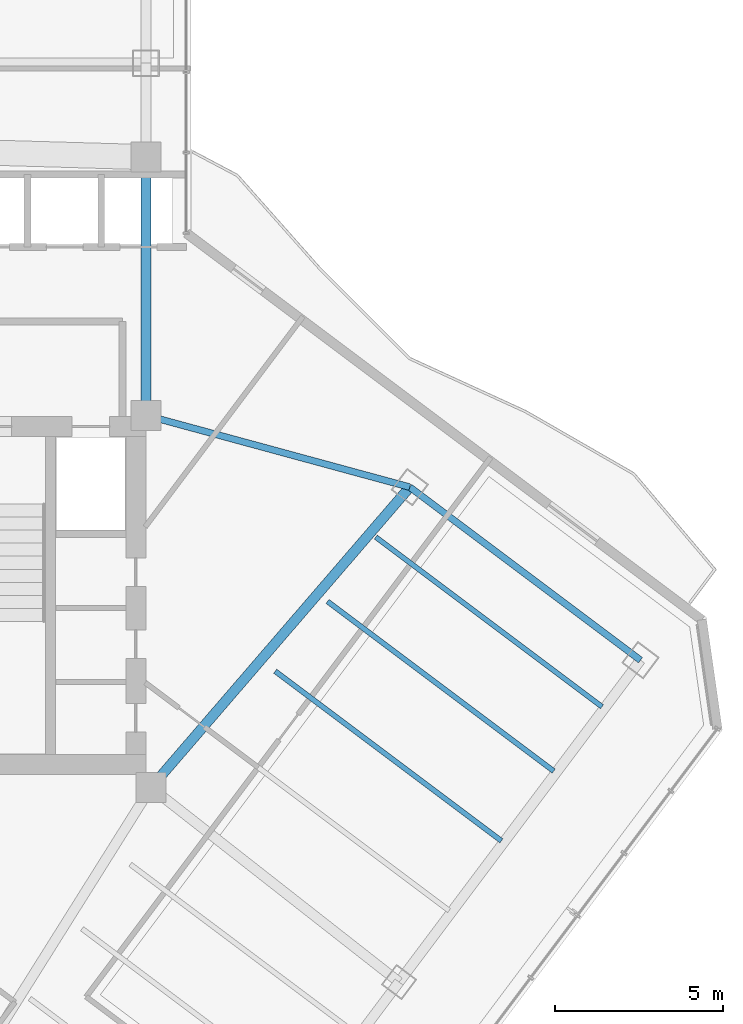
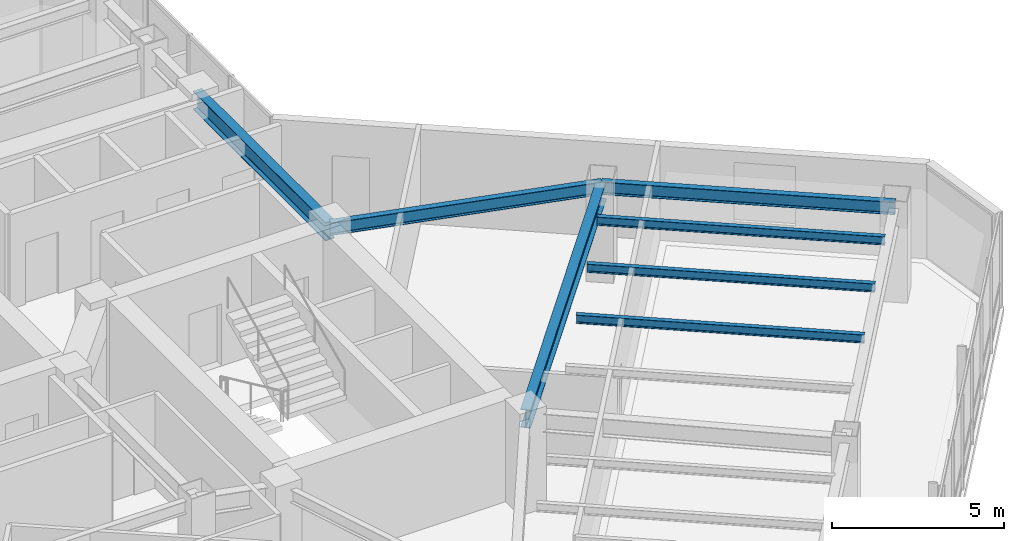
# One storey, part 14 of 28: 7 beams.
"""IFC4 building model written with IfcOpenShell, lengths in metres."""

import ifcopenshell
import ifcopenshell.guid

model = None  # the IFC model being written
_history = None  # IfcOwnerHistory: only IFC2X3 demands one
_inside = {}  # id of a spatial element -> (the spatial element, [elements in it])
_under = {}  # id of a project, library or spatial element -> (it, [spatial elements below it])
_declared = {}  # id of a project -> (the project, [libraries it declares])
_typed = {}  # id of a type object -> (the type object, [elements of that type])
_made_of = {}  # id of a material, layer set ... -> (it, [elements and type objects made of it])


def new_model(schema):
    """Start an empty IFC model of exactly this schema.

    Asked for "IFC4X3", IfcOpenShell would pick the latest addendum, in which some entities
    have other attributes; the version numbers below select the first issue.
    IFC2X3 requires an IfcOwnerHistory on every rooted entity: one is made here for all.
    """
    global model, _history
    if schema == "IFC4X3":
        model = ifcopenshell.file(schema_version=(4, 3, 0, 0))
    else:
        model = ifcopenshell.file(schema=schema)
    _inside.clear()
    _under.clear()
    _declared.clear()
    _typed.clear()
    _made_of.clear()
    _history = None
    if model.schema == "IFC2X3":
        org = make("IfcOrganization", Name="unknown")
        user = make(
            "IfcPersonAndOrganization",
            ThePerson=make("IfcPerson", FamilyName="unknown"),
            TheOrganization=org,
        )
        app = make(
            "IfcApplication",
            ApplicationDeveloper=org,
            Version="unknown",
            ApplicationFullName="unknown",
            ApplicationIdentifier="unknown",
        )
        _history = make(
            "IfcOwnerHistory",
            OwningUser=user,
            OwningApplication=app,
            ChangeAction="ADDED",
            CreationDate=0,
        )
    return model


def make(cls, **values):
    """One entity of the class cls with the attributes given. An attribute that is None is left unset."""
    return model.create_entity(
        cls, **{name: value for name, value in values.items() if value is not None}
    )


def rooted(cls, **values):
    """An entity with a GlobalId (a new one), such as an element, a storey or a relation."""
    return make(cls, GlobalId=ifcopenshell.guid.new(), OwnerHistory=_history, **values)


def si_unit(unit_type, name, prefix=None):
    """IfcSIUnit, for example si_unit("LENGTHUNIT", "METRE", prefix="MILLI")."""
    return make("IfcSIUnit", UnitType=unit_type, Prefix=prefix, Name=name)


def assignment(units):
    """IfcUnitAssignment: the units of a project."""
    return None if units is None else make("IfcUnitAssignment", Units=units)


def point(xyz):
    """IfcCartesianPoint."""
    return None if xyz is None else make("IfcCartesianPoint", Coordinates=xyz)


def direction(xyz):
    """IfcDirection."""
    return None if xyz is None else make("IfcDirection", DirectionRatios=xyz)


def frame(location, z_axis=None, x_axis=None):
    """IfcAxis2Placement3D, a coordinate frame: its origin and axes. An axis left out is left unset."""
    return make(
        "IfcAxis2Placement3D",
        Location=point(location),
        Axis=direction(z_axis),
        RefDirection=direction(x_axis),
    )


def frame_2d(location, x_axis=None):
    """IfcAxis2Placement2D, a coordinate frame in the plane: its origin and x axis."""
    return make(
        "IfcAxis2Placement2D", Location=point(location), RefDirection=direction(x_axis)
    )


def origin():
    """The frame at (0, 0, 0) with its axes left unset."""
    return frame((0.0, 0.0, 0.0))


def origin_2d():
    """The frame at (0, 0) in the plane with its x axis left unset."""
    return frame_2d((0.0, 0.0))


def place(relative_to, where):
    """IfcLocalPlacement: puts the frame where relative to a parent placement (None: the world)."""
    return make(
        "IfcLocalPlacement", PlacementRelTo=relative_to, RelativePlacement=where
    )


def context(
    kind, dimensions, precision=None, world=None, true_north=None, identifier=None
):
    """IfcGeometricRepresentationContext, for example the 3D "Model" context."""
    return make(
        "IfcGeometricRepresentationContext",
        ContextIdentifier=identifier,
        ContextType=kind,
        CoordinateSpaceDimension=dimensions,
        Precision=precision,
        WorldCoordinateSystem=world,
        TrueNorth=true_north,
    )


def subcontext(parent, identifier, kind, view, scale=None):
    """IfcGeometricRepresentationSubContext, for example "Body" below "Model"."""
    return make(
        "IfcGeometricRepresentationSubContext",
        ContextIdentifier=identifier,
        ContextType=kind,
        ParentContext=parent,
        TargetScale=scale,
        TargetView=view,
    )


def project(units=None, contexts=None):
    """IfcProject with its units and contexts."""
    return rooted(
        "IfcProject",
        Name="project",
        RepresentationContexts=contexts,
        UnitsInContext=assignment(units),
    )


def spatial(cls, under=None, at=None, **own):
    """A site, building, storey or space (cls), placed at a placement, below another one or the project."""
    s = rooted(cls, ObjectPlacement=at, **own)
    if under is not None:
        _under.setdefault(under.id(), (under, []))[1].append(s)
    return s


def profile(cls, at=None, kind="AREA", **sizes):
    """A parametric profile (cls). Its sizes go by their IFC names, for example OverallWidth=200.0."""
    return make(cls, ProfileType=kind, Position=at, **sizes)


def i_section(**sizes):
    """IfcIShapeProfileDef."""
    return profile("IfcIShapeProfileDef", **sizes)


def extrude(swept, where, along, depth):
    """IfcExtrudedAreaSolid: the profile swept, set in the frame where, extruded along a direction by depth."""
    return make(
        "IfcExtrudedAreaSolid",
        SweptArea=swept,
        Position=where,
        ExtrudedDirection=direction(along),
        Depth=depth,
    )


def shape(context_of_items, identifier, shape_type, items):
    """IfcShapeRepresentation: the items that make up one representation, for example the "Body"."""
    return make(
        "IfcShapeRepresentation",
        ContextOfItems=context_of_items,
        RepresentationIdentifier=identifier,
        RepresentationType=shape_type,
        Items=items,
    )


def material(Name=None, Category=None):
    """IfcMaterial."""
    return make("IfcMaterial", Name=Name, Category=Category)


def material_profile(
    of_material, cross_section, Name=None, Category=None, Priority=None
):
    """IfcMaterialProfile: a cross section and its material."""
    return make(
        "IfcMaterialProfile",
        Name=Name,
        Material=of_material,
        Profile=cross_section,
        Priority=Priority,
        Category=Category,
    )


def profile_set(profiles, Name=None, composite=None):
    """IfcMaterialProfileSet."""
    return make(
        "IfcMaterialProfileSet",
        Name=Name,
        MaterialProfiles=profiles,
        CompositeProfile=composite,
    )


def made_of(thing, what):
    """Note that an element or type object is made of a material, layer set ...; save() writes the relation."""
    if what is not None:
        _made_of.setdefault(what.id(), (what, []))[1].append(thing)
    return thing


def type_object(cls, material=None, **own):
    """A type object (cls), such as IfcWallType, which elements share."""
    return made_of(rooted(cls, **own), material)


def element(
    cls,
    number,
    at=None,
    inside=None,
    cuts=None,
    type_object=None,
    material=None,
    context=None,
    identifier="Body",
    shape_type=None,
    held_by="IfcProductDefinitionShape",
    body=None,
    shapes=None,
    **own,
):
    """One element of the class cls, such as IfcWall. Its Tag is "e" and its number.

    at: its placement. inside: the storey or other place that contains it. cuts: it is an
    opening in that element (IfcRelVoidsElement). A single representation is given by context,
    identifier, shape_type and body (its items); several are given by shapes. held_by: the class
    of the entity that holds the representations. save() writes the other relations.
    """
    e = rooted(cls, Tag="e%d" % number, ObjectPlacement=at, **own)
    if body is not None:
        shapes = [shape(context, identifier, shape_type, body)]
    if shapes is not None:
        e.Representation = make(held_by, Representations=shapes)
    if inside is not None:
        _inside.setdefault(inside.id(), (inside, []))[1].append(e)
    if cuts is not None:
        rooted(
            "IfcRelVoidsElement", RelatingBuildingElement=cuts, RelatedOpeningElement=e
        )
    if type_object is not None:
        _typed.setdefault(type_object.id(), (type_object, []))[1].append(e)
    return made_of(e, material)


def aggregate(whole, parts):
    """IfcRelAggregates: a whole, such as a stair, and the parts it consists of."""
    return rooted("IfcRelAggregates", RelatingObject=whole, RelatedObjects=parts)


def save(model, path):
    """Write the relations noted so far, then the file.

    IfcRelAggregates (storeys below a building ...), IfcRelContainedInSpatialStructure (elements
    in a storey), IfcRelDefinesByType, IfcRelAssociatesMaterial and IfcRelDeclares: one each for
    every whole, place, type object, material and project.
    """
    for whole, parts in _under.values():
        aggregate(whole, parts)
    for where, things in _inside.values():
        rooted(
            "IfcRelContainedInSpatialStructure",
            RelatedElements=things,
            RelatingStructure=where,
        )
    for kind, things in _typed.values():
        rooted("IfcRelDefinesByType", RelatedObjects=things, RelatingType=kind)
    for what, things in _made_of.values():
        rooted("IfcRelAssociatesMaterial", RelatedObjects=things, RelatingMaterial=what)
    for by, libraries in _declared.values():
        rooted("IfcRelDeclares", RelatingContext=by, RelatedDefinitions=libraries)
    model.write(path)


model = new_model("IFC4")

# Units and contexts
model_context = context("Model", 3, precision=1e-05, world=origin(), true_north=direction((0.0, 1.0)))
body_context = subcontext(model_context, "Body", "Model", "MODEL_VIEW")
ifc_project = project(units=[si_unit("LENGTHUNIT", "METRE"), si_unit("AREAUNIT", "SQUARE_METRE"), si_unit("VOLUMEUNIT", "CUBIC_METRE"), si_unit("PLANEANGLEUNIT", "RADIAN"), si_unit("MASSUNIT", "GRAM", prefix="KILO")], contexts=[model_context])

# Site, building, storey
site_placement = place(None, origin())
site = spatial("IfcSite", under=ifc_project, at=site_placement, CompositionType="ELEMENT")
building_placement = place(site_placement, origin())
building = spatial("IfcBuilding", under=site, at=building_placement, Name="Hatsunagi Terrace Concourse", CompositionType="ELEMENT")
storey_placement = place(building_placement, frame((0.0, 0.0, 170.85009765625)))
storey = spatial("IfcBuildingStorey", under=building, at=storey_placement, Name="L45", CompositionType="ELEMENT", Elevation=170.85009765625)

# Beams
ifc_material_1 = material(Name="Steel SN490B", Category="steel")
ifc_material_profile_1 = material_profile(ifc_material_1, i_section(OverallWidth=0.14990234375, OverallDepth=0.300048828125, WebThickness=0.006591796875, FlangeThickness=0.009033203125, FilletRadius=0.010986328125, at=origin_2d()), Name="H-300x150x6.5x9")
ifc_profile_set_1 = profile_set([ifc_material_profile_1], Name="Steel SN490B")
beam_type_1 = type_object("IfcBeamType", Name="OfficeJoist_H_300x150", PredefinedType="JOIST", material=ifc_profile_set_1)
for number, where, z_axis, x_axis, name in (
    (1, (47.508056640625, 27.6689453125, 3.199951171875), (0.800003475366, -0.59999536615, 0.0), (0.59999536615, 0.800003475366, 0.0), "Beam J-03 J-L45-SE-2-168"),
    (2, (49.068115234375, 29.7490234375, 3.199951171875), (0.799989573921, -0.600013901187, 0.0), (0.600013901187, 0.799989573921, 0.0), "Beam J-03 J-L45-SE-2-194"),
    (3, (50.508056640625, 31.6689453125, 3.199951171875), (0.800003475366, -0.59999536615, 0.0), (0.59999536615, 0.800003475366, 0.0), "Beam J-03 J-L45-SE-2-218"),
):
    element("IfcBeam", number, at=place(storey_placement, frame(where, z_axis=z_axis, x_axis=x_axis)), inside=storey, type_object=beam_type_1, Name=name, PredefinedType="JOIST", context=body_context, shape_type="SweptSolid", body=[
        extrude(i_section(OverallWidth=0.14990234375, OverallDepth=0.300048828125, WebThickness=0.006591796875, FlangeThickness=0.009033203125, FilletRadius=0.010986328125, at=origin_2d()), origin(), (0.0, 0.0, 1.0), 8.429931640625),
    ])
ifc_material_2 = material(Name="Steel SN490B", Category="steel")
ifc_material_profile_2 = material_profile(ifc_material_2, i_section(OverallWidth=0.300048828125, OverallDepth=0.64990234375, WebThickness=0.012939453125, FlangeThickness=0.02197265625, FilletRadius=0.01806640625, at=origin_2d()), Name="H-650x300x13x22")
ifc_profile_set_2 = profile_set([ifc_material_profile_2], Name="Steel SN490B")
beam_type_2 = type_object("IfcBeamType", Name="OfficeLowGirder_H_650x300", PredefinedType="BEAM", material=ifc_profile_set_2)
beam_1_placement = place(storey_placement, frame((43.64990234375, 35.300048828125, 3.02490234375), z_axis=(0.0, 1.0, 0.0), x_axis=(-1.0, 0.0, 0.0)))
element("IfcBeam", 4, at=beam_1_placement, inside=storey, type_object=beam_type_2, Name="Beam G-05 BM-L45-CBK3", PredefinedType="BEAM", context=body_context, shape_type="SweptSolid", body=[
    extrude(i_section(OverallWidth=0.300048828125, OverallDepth=0.64990234375, WebThickness=0.012939453125, FlangeThickness=0.02197265625, FilletRadius=0.01806640625, at=origin_2d()), origin(), (0.0, 0.0, 1.0), 7.699951171875),
])
beam_2_placement = place(storey_placement, frame((43.800048828125, 24.199951171875, 3.02490234375), z_axis=(0.652739101421, 0.757582777969, 0.0), x_axis=(-0.757582777969, 0.652739101421, 0.0)))
element("IfcBeam", 5, at=beam_2_placement, inside=storey, type_object=beam_type_2, Name="Beam G-05 BM-L45-SET-1B", PredefinedType="BEAM", context=body_context, shape_type="SweptSolid", body=[
    extrude(i_section(OverallWidth=0.300048828125, OverallDepth=0.64990234375, WebThickness=0.012939453125, FlangeThickness=0.02197265625, FilletRadius=0.01806640625, at=origin_2d()), origin(), (0.0, 0.0, 1.0), 11.8271484375),
])
ifc_material_3 = material(Name="Steel SN490B", Category="steel")
ifc_material_profile_3 = material_profile(ifc_material_3, i_section(OverallWidth=0.199951171875, OverallDepth=0.449951171875, WebThickness=0.009033203125, FlangeThickness=0.013916015625, FilletRadius=0.01611328125, at=origin_2d()), Name="H-450x200x9x14")
ifc_profile_set_3 = profile_set([ifc_material_profile_3], Name="Steel SN490B")
beam_type_3 = type_object("IfcBeamType", Name="PerimeterSpandrel_H_450x200", PredefinedType="SPANDREL", material=ifc_profile_set_3)
beam_3_placement = place(storey_placement, frame((43.64990234375, 35.300048828125, 3.125), z_axis=(0.964958359286, -0.262403057994, 0.0), x_axis=(0.262403057994, 0.964958359286, 0.0)))
element("IfcBeam", 6, at=beam_3_placement, inside=storey, type_object=beam_type_3, Name="Beam SP-02 BM-L45-SE-NE0", PredefinedType="SPANDREL", context=body_context, shape_type="SweptSolid", body=[
    extrude(i_section(OverallWidth=0.199951171875, OverallDepth=0.449951171875, WebThickness=0.009033203125, FlangeThickness=0.013916015625, FilletRadius=0.01611328125, at=origin_2d()), origin(), (0.0, 0.0, 1.0), 8.156005859375),
])
beam_4_placement = place(storey_placement, frame((51.52001953125, 33.159912109375, 3.125), z_axis=(0.8, -0.6, 0.0), x_axis=(0.6, 0.8, 0.0)))
element("IfcBeam", 7, at=beam_4_placement, inside=storey, type_object=beam_type_3, Name="Beam SP-02 BM-L45-SE-NE2", PredefinedType="SPANDREL", context=body_context, shape_type="SweptSolid", body=[
    extrude(i_section(OverallWidth=0.199951171875, OverallDepth=0.449951171875, WebThickness=0.009033203125, FlangeThickness=0.013916015625, FilletRadius=0.01611328125, at=origin_2d()), origin(), (0.0, 0.0, 1.0), 8.599853515625),
])

save(model, "model.ifc")
